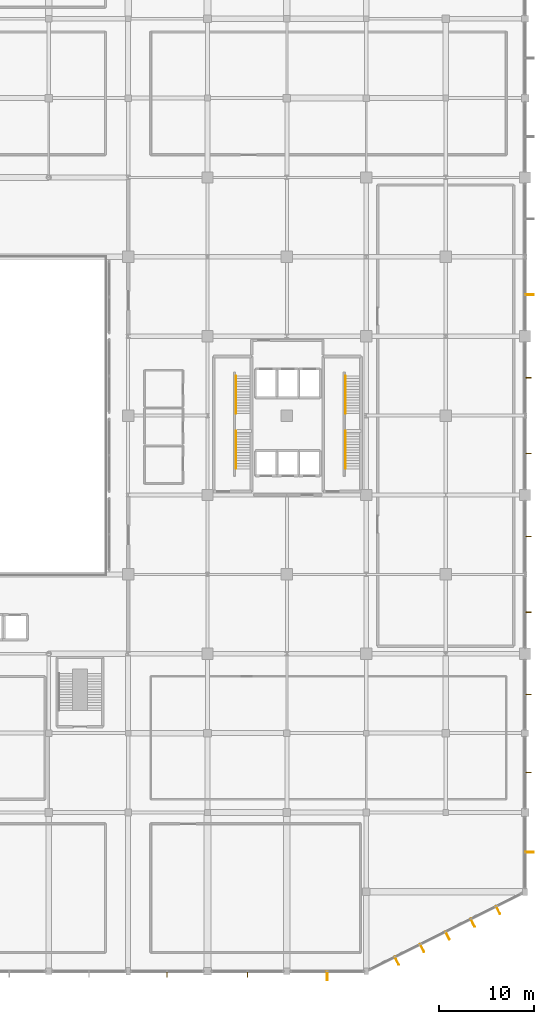
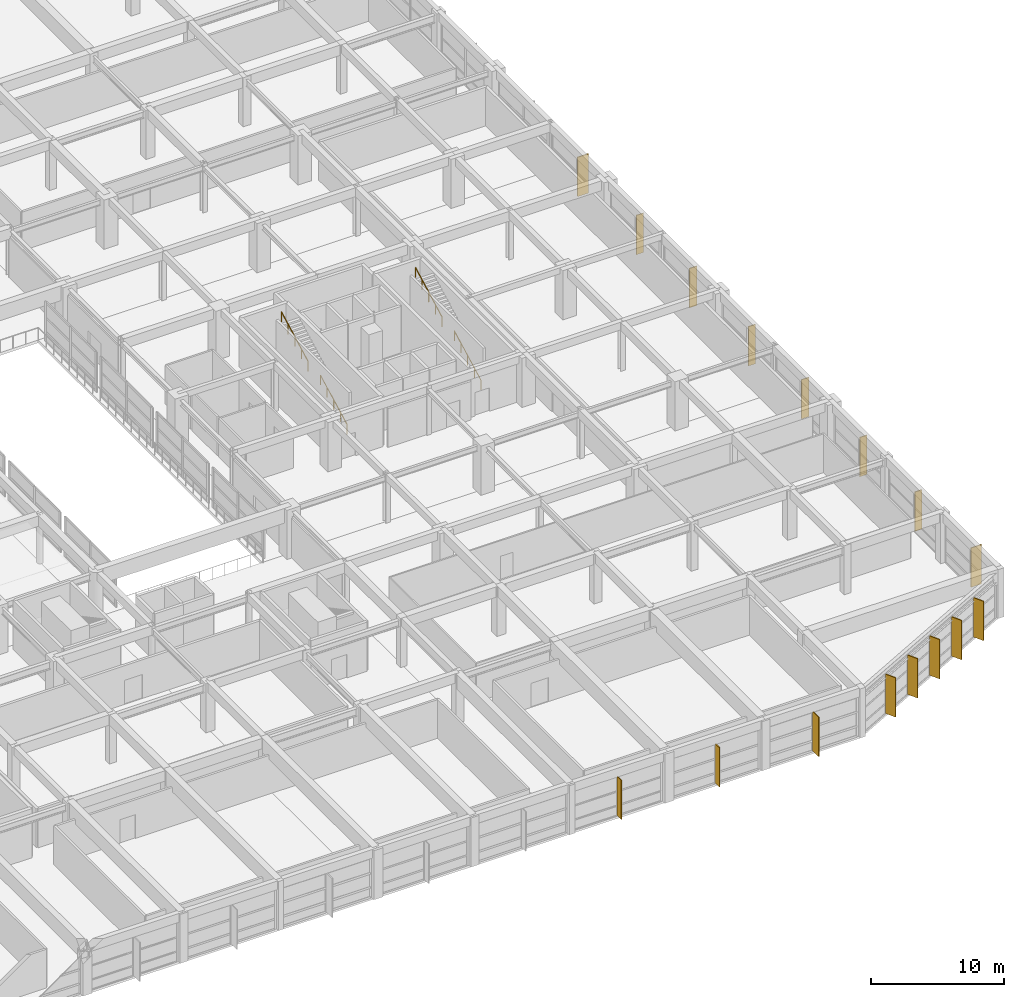
# One storey, part 64 of 65: 16 shading devices, 4 railings.
"""IFC4 building model written with IfcOpenShell, lengths in metres."""

from ifc_helpers import new_model, si_unit, direction, frame, origin, origin_2d, place, context, subcontext, project, spatial, rectangle, circle, extrude, material, type_object, element, save


model = new_model("IFC4")

# Units and contexts
model_context = context("Model", 3, precision=1e-05, world=origin(), true_north=direction((0.0, 1.0)))
body_context = subcontext(model_context, "Body", "Model", "MODEL_VIEW")
ifc_project = project(units=[si_unit("LENGTHUNIT", "METRE"), si_unit("AREAUNIT", "SQUARE_METRE"), si_unit("VOLUMEUNIT", "CUBIC_METRE"), si_unit("PLANEANGLEUNIT", "RADIAN"), si_unit("MASSUNIT", "GRAM", prefix="KILO")], contexts=[model_context])

# Site, building, storey
site_placement = place(None, origin())
site = spatial("IfcSite", under=ifc_project, at=site_placement, CompositionType="ELEMENT")
building_placement = place(site_placement, origin())
building = spatial("IfcBuilding", under=site, at=building_placement, Name="Xuanlan Plaza Opera House", CompositionType="ELEMENT")
storey_placement = place(building_placement, frame((0.0, 0.0, 5.39990234375)))
storey = spatial("IfcBuildingStorey", under=building, at=storey_placement, Name="L01", CompositionType="ELEMENT", Elevation=5.39990234375)

# Shading devices
ifc_material_1 = material(Name="Anodised Aluminium 6063-T6", Category="aluminium")
shading_device_type_1 = type_object("IfcShadingDeviceType", Name="ENV-SHD-BRS01", PredefinedType="JALOUSIE", material=ifc_material_1)
for number, where, z_axis, x_axis, name in (
    (1, (130.125, -0.324951171875, 0.0400390625), (0.0, 0.0, 1.0), (0.0, -1.0, 0.0), "Parametric Sunshade Fin L01-0051"),
    (2, (138.625, -0.324951171875, 0.0400390625), (0.0, 0.0, 1.0), (0.0, -1.0, 0.0), "Parametric Sunshade Fin L01-0052"),
    (3, (168.324951171875, 21.02490234375, 0.0400390625), (0.0, 0.0, 1.0), (1.0, 0.0, 0.0), "Parametric Sunshade Fin L01-0060"),
    (4, (168.324951171875, 29.27490234375, 0.0400390625), (0.0, 0.0, 1.0), (1.0, 0.0, 0.0), "Parametric Sunshade Fin L01-0061"),
    (5, (168.324951171875, 37.99658203125, 0.0400390625), (0.0, 0.0, 1.0), (1.0, 0.0, 0.0), "Parametric Sunshade Fin L01-0062"),
    (6, (168.324951171875, 46.00341796875, 0.0400390625), (0.0, 0.0, 1.0), (1.0, 0.0, 0.0), "Parametric Sunshade Fin L01-0063"),
    (7, (168.324951171875, 54.79638671875, 0.0400390625), (0.0, 0.0, 1.0), (1.0, 0.0, 0.0), "Parametric Sunshade Fin L01-0064"),
    (8, (168.324951171875, 62.803466796875, 0.0400390625), (0.0, 0.0, 1.0), (1.0, 0.0, 0.0), "Parametric Sunshade Fin L01-0065"),
):
    element("IfcShadingDevice", number, at=place(storey_placement, frame(where, z_axis=z_axis, x_axis=x_axis)), inside=storey, type_object=shading_device_type_1, Name=name, PredefinedType="JALOUSIE", context=body_context, shape_type="SweptSolid", body=[
        extrude(rectangle(XDim=0.639892578125, YDim=0.070068359375, at=origin_2d()), origin(), (0.0, 0.0, 1.0), 3.60009765625),
    ])
shading_device_type_2 = type_object("IfcShadingDeviceType", Name="ENV-SHD-BRS02", PredefinedType="JALOUSIE", material=ifc_material_1)
for number, where, z_axis, x_axis, name in (
    (9, (147.0625, -0.465087890625, 0.0400390625), (0.0, 0.0, 1.0), (0.0, -1.0, 0.0), "Parametric Sunshade Fin L01-0053"),
    (10, (154.437255859375, 1.0986328125, 0.0400390625), (0.0, 0.0, 1.0), (0.447290848419, -0.89438856037, 0.0), "Parametric Sunshade Fin L01-0054"),
    (11, (157.116455078125, 2.438232421875, 0.0400390625), (0.0, 0.0, 1.0), (0.447290848419, -0.89438856037, 0.0), "Parametric Sunshade Fin L01-0055"),
    (12, (159.79541015625, 3.77783203125, 0.0400390625), (0.0, 0.0, 1.0), (0.447290848419, -0.89438856037, 0.0), "Parametric Sunshade Fin L01-0056"),
    (13, (162.474609375, 5.117431640625, 0.0400390625), (0.0, 0.0, 1.0), (0.447290848419, -0.89438856037, 0.0), "Parametric Sunshade Fin L01-0057"),
    (14, (165.15380859375, 6.456787109375, 0.0400390625), (0.0, 0.0, 1.0), (0.447290848419, -0.89438856037, 0.0), "Parametric Sunshade Fin L01-0058"),
    (15, (168.465087890625, 12.58740234375, 0.0400390625), (0.0, 0.0, 1.0), (1.0, 0.0, 0.0), "Parametric Sunshade Fin L01-0059"),
    (16, (168.465087890625, 71.596435546875, 0.0400390625), (0.0, 0.0, 1.0), (1.0, 0.0, 0.0), "Parametric Sunshade Fin L01-0066"),
):
    element("IfcShadingDevice", number, at=place(storey_placement, frame(where, z_axis=z_axis, x_axis=x_axis)), inside=storey, type_object=shading_device_type_2, Name=name, PredefinedType="JALOUSIE", context=body_context, shape_type="SweptSolid", body=[
        extrude(rectangle(XDim=0.919921875, YDim=0.080078125, at=origin_2d()), origin(), (0.0, 0.0, 1.0), 3.60009765625),
    ])

# Railings
ifc_material_2 = material(Name="Stainless Steel S30408", Category="steel")
railing_type = type_object("IfcRailingType", Name="INT-RL-HR01", PredefinedType="HANDRAIL", material=ifc_material_2)
for number, where, name in (
    (17, (137.409912109375, 53.169921875, 0.150146484375), "Stair Handrail ST-T1 L01 Flight 1"),
    (18, (137.409912109375, 59.010009765625, 2.400146484375), "Stair Handrail ST-T1 L01 Flight 2"),
    (19, (149.010009765625, 53.169921875, 0.150146484375), "Stair Handrail ST-T2 L01 Flight 1"),
    (20, (149.010009765625, 59.010009765625, 2.400146484375), "Stair Handrail ST-T2 L01 Flight 2"),
):
    element("IfcRailing", number, at=place(storey_placement, frame(where)), inside=storey, type_object=railing_type, Name=name, PredefinedType="HANDRAIL", context=body_context, shape_type="SweptSolid", body=[
        extrude(circle(Radius=0.02392578125, at=origin_2d()), frame((0.0, 0.0, 0.8759765625), z_axis=(0.0, 0.884931142248, 0.465721884261), x_axis=(-1.0, 0.0, 0.0)), (0.0, 0.0, 1.0), 4.5087890625),
        extrude(circle(Radius=0.02099609375, at=origin_2d()), origin(), (0.0, 0.0, 1.0), 0.851806640625),
        extrude(circle(Radius=0.02099609375, at=origin_2d()), frame((0.0, 0.99755859375, 0.52490234375)), (0.0, 0.0, 1.0), 0.851806640625),
        extrude(circle(Radius=0.02099609375, at=origin_2d()), frame((0.0, 1.9951171875, 1.0498046875)), (0.0, 0.0, 1.0), 0.851806640625),
        extrude(circle(Radius=0.02099609375, at=origin_2d()), frame((0.0, 2.992431640625, 1.574951171875)), (0.0, 0.0, 1.0), 0.851806640625),
        extrude(circle(Radius=0.02099609375, at=origin_2d()), frame((0.0, 3.989990234375, 2.099853515625)), (0.0, 0.0, 1.0), 0.851806640625),
    ])

save(model, "model.ifc")
